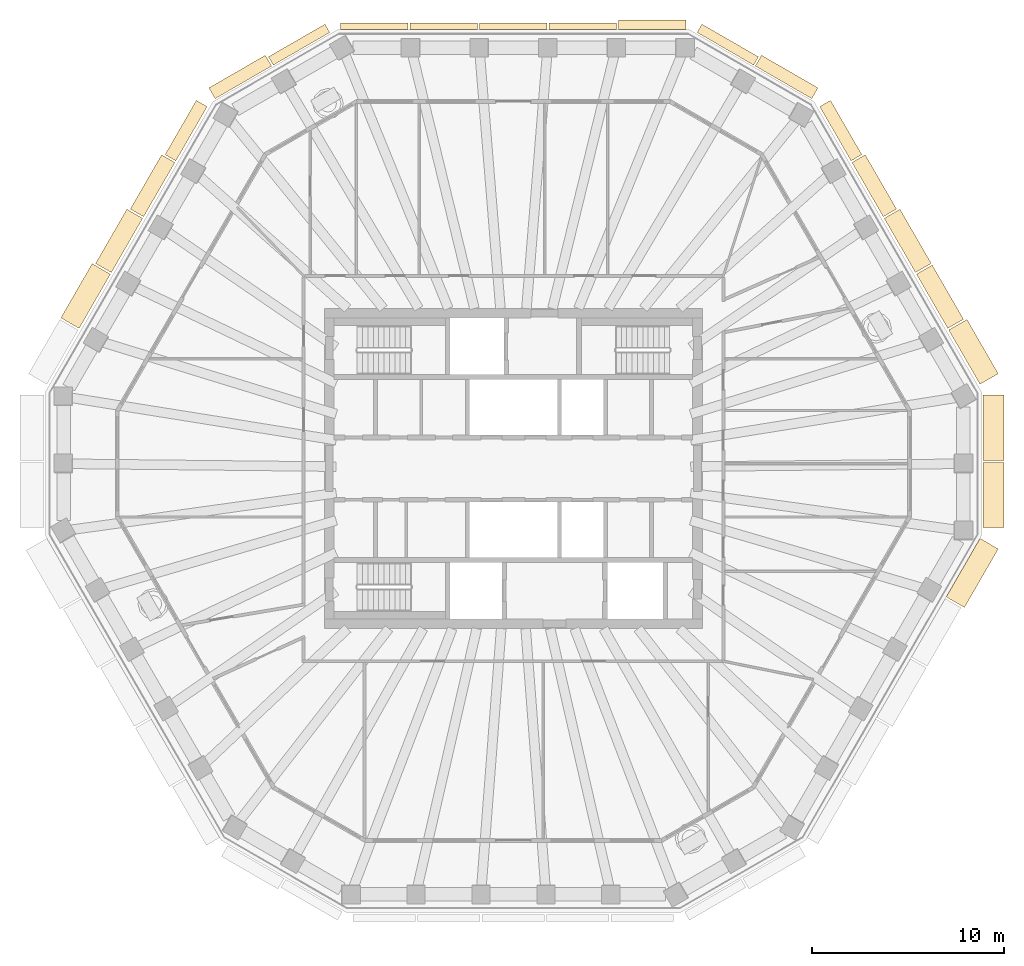
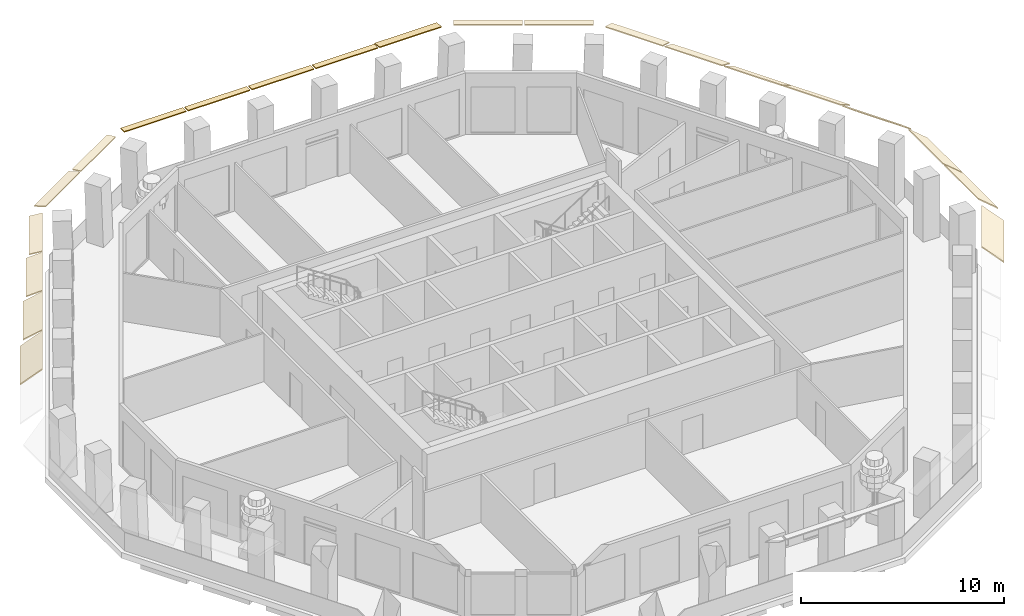
# One storey, part 10 of 12: 21 coverings.
"""IFC4 building model written with IfcOpenShell, lengths in metres."""

from ifc_helpers import new_model, si_unit, direction, frame, origin, place, context, subcontext, project, spatial, polyline, outline, extrude, material, layer, layer_set, type_object, element, save


model = new_model("IFC4")

# Units and contexts
model_context = context("Model", 3, precision=1e-05, world=origin(), true_north=direction((0.0, 1.0)))
body_context = subcontext(model_context, "Body", "Model", "MODEL_VIEW")
ifc_project = project(units=[si_unit("LENGTHUNIT", "METRE"), si_unit("AREAUNIT", "SQUARE_METRE"), si_unit("VOLUMEUNIT", "CUBIC_METRE"), si_unit("PLANEANGLEUNIT", "RADIAN"), si_unit("MASSUNIT", "GRAM", prefix="KILO")], contexts=[model_context])

# Site, building, storey
site_placement = place(None, origin())
site = spatial("IfcSite", under=ifc_project, at=site_placement, CompositionType="ELEMENT")
building_placement = place(site_placement, origin())
building = spatial("IfcBuilding", under=site, at=building_placement, Name="Frailejon Research Tower", CompositionType="ELEMENT")
storey_placement = place(building_placement, frame((0.0, 0.0, 271.0)))
storey = spatial("IfcBuildingStorey", under=building, at=storey_placement, Name="L59", CompositionType="ELEMENT", Elevation=271.0)

# Coverings
ifc_material_1 = material(Name="Precast concrete C50/60", Category="concrete")
ifc_layer_1 = layer(ifc_material_1, 0.06005859375)
ifc_layer_set_1 = layer_set([ifc_layer_1], Name="Brim blade depth 1100")
covering_type_1 = type_object("IfcCoveringType", Name="Brim blade depth 1100", PredefinedType="CLADDING", material=ifc_layer_set_1)
covering_1_placement = place(storey_placement, frame((24.491455078125, 0.3271484375, 3.85009765625), z_axis=(0.0, -1.0, 0.0), x_axis=(1.0, 0.0, 0.0)))
element("IfcCovering", 1, at=covering_1_placement, inside=storey, type_object=covering_type_1, Name="Brim blade L59", PredefinedType="CLADDING", context=body_context, shape_type="SweptSolid", body=[
    extrude(outline(polyline([(0.0, -0.078369140625), (1.10009765625, -1.001220703125), (1.10009765625, -0.923095703125), (0.0, 0.0), (0.0, -0.078369140625)])), origin(), (0.0, 0.0, 1.0), 3.40185546875),
])
covering_2_placement = place(storey_placement, frame((24.491455078125, 3.8291015625, 3.85009765625), z_axis=(0.0, -1.0, 0.0), x_axis=(1.0, 0.0, 0.0)))
element("IfcCovering", 2, at=covering_2_placement, inside=storey, type_object=covering_type_1, Name="Brim blade L59", PredefinedType="CLADDING", context=body_context, shape_type="SweptSolid", body=[
    extrude(outline(polyline([(0.0, -0.078369140625), (1.10009765625, -1.001220703125), (1.10009765625, -0.923095703125), (0.0, 0.0), (0.0, -0.078369140625)])), origin(), (0.0, 0.0, 1.0), 3.402099609375),
])
covering_3_placement = place(storey_placement, frame((22.70703125, 7.224609375, 3.85009765625), z_axis=(0.499981450159, -0.866036113275, 0.0), x_axis=(0.866036113275, 0.499981450159, 0.0)))
element("IfcCovering", 3, at=covering_3_placement, inside=storey, type_object=covering_type_1, Name="Brim blade L59", PredefinedType="CLADDING", context=body_context, shape_type="SweptSolid", body=[
    extrude(outline(polyline([(0.0, -0.078369140625), (1.10009765625, -1.001220703125), (1.10009765625, -0.923095703125), (0.0, 0.0), (0.0, -0.078369140625)])), origin(), (0.0, 0.0, 1.0), 3.264404296875),
])
covering_4_placement = place(storey_placement, frame((-22.656982421875, 7.311279296875, 3.85009765625), z_axis=(0.500003741709, 0.866023243497, 0.0), x_axis=(-0.866023243497, 0.500003741709, 0.0)))
element("IfcCovering", 4, at=covering_4_placement, inside=storey, type_object=covering_type_1, Name="Brim blade L59", PredefinedType="CLADDING", context=body_context, shape_type="SweptSolid", body=[
    extrude(outline(polyline([(0.0, -0.078369140625), (1.10009765625, -1.001220703125), (1.10009765625, -0.923095703125), (0.0, 0.0), (0.0, -0.078369140625)])), origin(), (0.0, 0.0, 1.0), 3.2646484375),
])
covering_5_placement = place(storey_placement, frame((24.339111328125, -3.64306640625, 3.85009765625), z_axis=(-0.499992226776, -0.866029891611, 0.0), x_axis=(0.866029891611, -0.499992226776, 0.0)))
element("IfcCovering", 5, at=covering_5_placement, inside=storey, type_object=covering_type_1, Name="Brim blade L59", PredefinedType="CLADDING", context=body_context, shape_type="SweptSolid", body=[
    extrude(outline(polyline([(0.0, -0.078369140625), (1.10009765625, -1.001220703125), (1.10009765625, -0.923095703125), (0.0, 0.0), (0.0, -0.078369140625)])), origin(), (0.0, 0.0, 1.0), 3.52587890625),
])
ifc_material_2 = material(Name="Precast concrete C50/60", Category="concrete")
ifc_layer_2 = layer(ifc_material_2, 0.06005859375)
ifc_layer_set_2 = layer_set([ifc_layer_2], Name="Brim blade depth 350")
covering_type_2 = type_object("IfcCoveringType", Name="Brim blade depth 350", PredefinedType="CLADDING", material=ifc_layer_set_2)
for number, where, z_axis, x_axis, name in (
    (6, (1.86279296875, 22.89990234375, 3.85009765625), (1.0, 0.0, 0.0), (0.0, 1.0, 0.0), "Brim blade L59"),
    (7, (-1.762939453125, 22.89990234375, 3.85009765625), (1.0, 0.0, 0.0), (0.0, 1.0, 0.0), "Brim blade L59"),
    (8, (-5.388671875, 22.89990234375, 3.85009765625), (1.0, 0.0, 0.0), (0.0, 1.0, 0.0), "Brim blade L59"),
    (9, (-9.0146484375, 22.89990234375, 3.85009765625), (1.0, 0.0, 0.0), (0.0, 1.0, 0.0), "Brim blade L59"),
):
    element("IfcCovering", number, at=place(storey_placement, frame(where, z_axis=z_axis, x_axis=x_axis)), inside=storey, type_object=covering_type_2, Name=name, PredefinedType="CLADDING", context=body_context, shape_type="SweptSolid", body=[
        extrude(outline(polyline([(0.0, -0.06005859375), (0.35009765625, -0.06005859375), (0.35009765625, 0.0), (0.0, 0.0), (0.0, -0.06005859375)])), origin(), (0.0, 0.0, 1.0), 3.52587890625),
    ])
ifc_material_3 = material(Name="Precast concrete C50/60", Category="concrete")
ifc_layer_3 = layer(ifc_material_3, 0.06005859375)
ifc_layer_set_3 = layer_set([ifc_layer_3], Name="Brim blade depth 500")
covering_type_3 = type_object("IfcCoveringType", Name="Brim blade depth 500", PredefinedType="CLADDING", material=ifc_layer_set_3)
covering_6_placement = place(storey_placement, frame((9.5830078125, 22.747802734375, 3.85009765625), z_axis=(0.866023907216, -0.500002592124, 0.0), x_axis=(0.500002592124, 0.866023907216, 0.0)))
element("IfcCovering", 10, at=covering_6_placement, inside=storey, type_object=covering_type_3, Name="Brim blade L59", PredefinedType="CLADDING", context=body_context, shape_type="SweptSolid", body=[
    extrude(outline(polyline([(0.0, -0.060546875), (0.5, -0.130859375), (0.5, -0.0703125), (0.0, 0.0), (0.0, -0.060546875)])), origin(), (0.0, 0.0, 1.0), 3.402099609375),
])
covering_7_placement = place(storey_placement, frame((5.48876953125, 22.89990234375, 3.85009765625), z_axis=(1.0, 0.0, 0.0), x_axis=(0.0, 1.0, 0.0)))
element("IfcCovering", 11, at=covering_7_placement, inside=storey, type_object=covering_type_3, Name="Brim blade L59", PredefinedType="CLADDING", context=body_context, shape_type="SweptSolid", body=[
    extrude(outline(polyline([(0.0, -0.060546875), (0.5, -0.130859375), (0.5, -0.0703125), (0.0, 0.0), (0.0, -0.060546875)])), origin(), (0.0, 0.0, 1.0), 3.52587890625),
])
covering_8_placement = place(storey_placement, frame((-12.529052734375, 21.046630859375, 3.85009765625), z_axis=(0.866023907216, 0.500002592124, 0.0), x_axis=(-0.500002592124, 0.866023907216, 0.0)))
element("IfcCovering", 12, at=covering_8_placement, inside=storey, type_object=covering_type_3, Name="Brim blade L59", PredefinedType="CLADDING", context=body_context, shape_type="SweptSolid", body=[
    extrude(outline(polyline([(0.0, -0.060546875), (0.5, -0.130859375), (0.5, -0.0703125), (0.0, 0.0), (0.0, -0.060546875)])), origin(), (0.0, 0.0, 1.0), 3.402099609375),
])
ifc_material_4 = material(Name="Precast concrete C50/60", Category="concrete")
ifc_layer_4 = layer(ifc_material_4, 0.06005859375)
ifc_layer_set_4 = layer_set([ifc_layer_4], Name="Brim blade depth 650")
covering_type_4 = type_object("IfcCoveringType", Name="Brim blade depth 650", PredefinedType="CLADDING", material=ifc_layer_set_4)
covering_9_placement = place(storey_placement, frame((15.977783203125, 18.879638671875, 3.85009765625), z_axis=(0.499981450159, -0.866036113275, 0.0), x_axis=(0.866036113275, 0.499981450159, 0.0)))
element("IfcCovering", 13, at=covering_9_placement, inside=storey, type_object=covering_type_4, Name="Brim blade L59", PredefinedType="CLADDING", context=body_context, shape_type="SweptSolid", body=[
    extrude(outline(polyline([(0.0, -0.0625), (0.64990234375, -0.248779296875), (0.64990234375, -0.186279296875), (0.0, 0.0), (0.0, -0.0625)])), origin(), (0.0, 0.0, 1.0), 3.264404296875),
])
for number, where, z_axis, x_axis, name in (
    (14, (12.61572265625, 20.99658203125, 3.85009765625), (0.866023907216, -0.500002592124, 0.0), (0.500002592124, 0.866023907216, 0.0), "Brim blade L59"),
    (15, (-15.56201171875, 19.295654296875, 3.85009765625), (0.866023907216, 0.500002592124, 0.0), (-0.500002592124, 0.866023907216, 0.0), "Brim blade L59"),
):
    element("IfcCovering", number, at=place(storey_placement, frame(where, z_axis=z_axis, x_axis=x_axis)), inside=storey, type_object=covering_type_4, Name=name, PredefinedType="CLADDING", context=body_context, shape_type="SweptSolid", body=[
        extrude(outline(polyline([(0.0, -0.0625), (0.64990234375, -0.248779296875), (0.64990234375, -0.186279296875), (0.0, 0.0), (0.0, -0.0625)])), origin(), (0.0, 0.0, 1.0), 3.402099609375),
    ])
covering_10_placement = place(storey_placement, frame((-17.610107421875, 16.052490234375, 3.85009765625), z_axis=(0.499981450159, 0.866036113275, 0.0), x_axis=(-0.866036113275, 0.499981450159, 0.0)))
element("IfcCovering", 16, at=covering_10_placement, inside=storey, type_object=covering_type_4, Name="Brim blade L59", PredefinedType="CLADDING", context=body_context, shape_type="SweptSolid", body=[
    extrude(outline(polyline([(0.0, -0.0625), (0.64990234375, -0.248779296875), (0.64990234375, -0.186279296875), (0.0, 0.0), (0.0, -0.0625)])), origin(), (0.0, 0.0, 1.0), 3.264404296875),
])
ifc_material_5 = material(Name="Precast concrete C50/60", Category="concrete")
ifc_layer_5 = layer(ifc_material_5, 0.06005859375)
ifc_layer_set_5 = layer_set([ifc_layer_5], Name="Brim blade depth 800")
covering_type_5 = type_object("IfcCoveringType", Name="Brim blade depth 800", PredefinedType="CLADDING", material=ifc_layer_set_5)
for number, where, z_axis, x_axis, name in (
    (17, (17.66015625, 15.9658203125, 3.85009765625), (0.500016611839, -0.866015812722, 0.0), (0.866015812722, 0.500016611839, 0.0), "Brim blade L59"),
    (18, (-19.29248046875, 13.138916015625, 3.85009765625), (0.500016611839, 0.866015812722, 0.0), (-0.866015812722, 0.500016611839, 0.0), "Brim blade L59"),
):
    element("IfcCovering", number, at=place(storey_placement, frame(where, z_axis=z_axis, x_axis=x_axis)), inside=storey, type_object=covering_type_5, Name=name, PredefinedType="CLADDING", context=body_context, shape_type="SweptSolid", body=[
        extrude(outline(polyline([(0.0, -0.065673828125), (0.800048828125, -0.421875), (0.800048828125, -0.356201171875), (0.0, 0.0), (0.0, -0.065673828125)])), origin(), (0.0, 0.0, 1.0), 3.264404296875),
    ])
ifc_material_6 = material(Name="Precast concrete C50/60", Category="concrete")
ifc_layer_6 = layer(ifc_material_6, 0.06005859375)
ifc_layer_set_6 = layer_set([ifc_layer_6], Name="Brim blade depth 950")
covering_type_6 = type_object("IfcCoveringType", Name="Brim blade depth 950", PredefinedType="CLADDING", material=ifc_layer_set_6)
for number, where, z_axis, x_axis, name in (
    (19, (21.024658203125, 10.138427734375, 3.85009765625), (0.500003741709, -0.866023243497, 0.0), (0.866023243497, 0.500003741709, 0.0), "Brim blade L59"),
    (20, (19.34228515625, 13.05224609375, 3.85009765625), (0.500003741709, -0.866023243497, 0.0), (0.866023243497, 0.500003741709, 0.0), "Brim blade L59"),
    (21, (-20.974609375, 10.22509765625, 3.85009765625), (0.500003741709, 0.866023243497, 0.0), (-0.866023243497, 0.500003741709, 0.0), "Brim blade L59"),
):
    element("IfcCovering", number, at=place(storey_placement, frame(where, z_axis=z_axis, x_axis=x_axis)), inside=storey, type_object=covering_type_6, Name=name, PredefinedType="CLADDING", context=body_context, shape_type="SweptSolid", body=[
        extrude(outline(polyline([(0.0, -0.07080078125), (0.949951171875, -0.664306640625), (0.949951171875, -0.593505859375), (0.0, 0.0), (0.0, -0.07080078125)])), origin(), (0.0, 0.0, 1.0), 3.2646484375),
    ])

save(model, "model.ifc")
